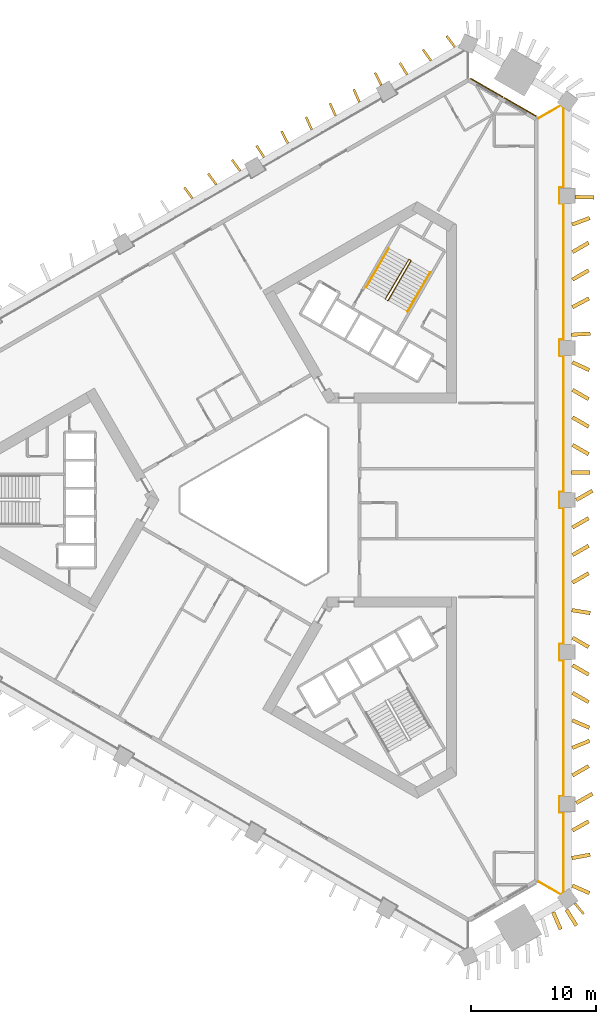
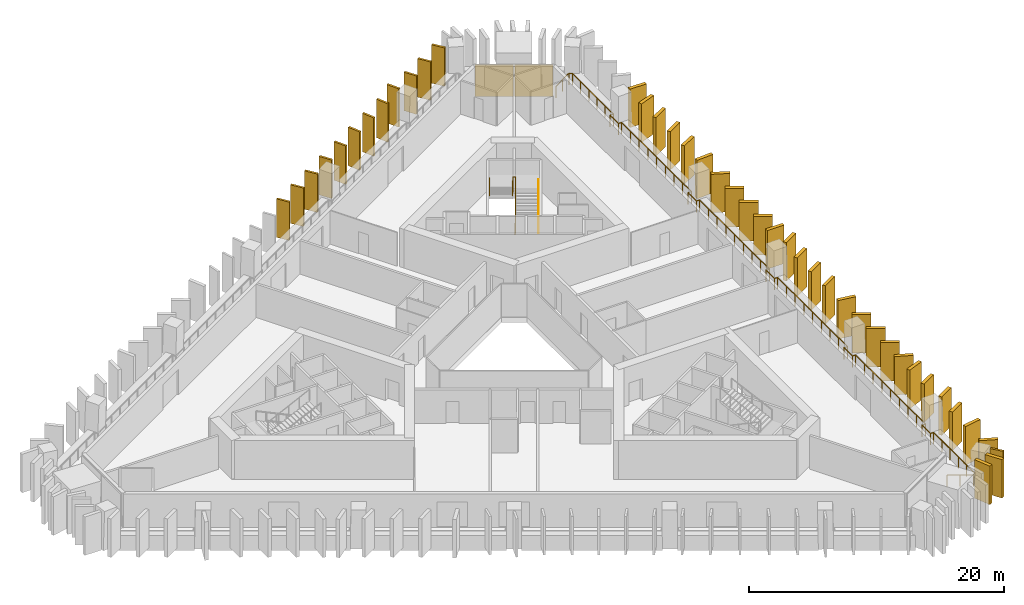
# One storey, part 9 of 10: 41 shading devices, 4 railings, 2 coverings.
"""IFC4 building model written with IfcOpenShell, lengths in metres."""

from ifc_helpers import new_model, si_unit, direction, frame, frame_2d, origin, origin_2d, place, context, subcontext, project, spatial, rectangle, circle, extrude, material, layer, layer_set, type_object, element, save


model = new_model("IFC4")

# Units and contexts
model_context = context("Model", 3, precision=1e-05, world=origin(), true_north=direction((0.0, 1.0)))
body_context = subcontext(model_context, "Body", "Model", "MODEL_VIEW")
ifc_project = project(units=[si_unit("LENGTHUNIT", "METRE"), si_unit("AREAUNIT", "SQUARE_METRE"), si_unit("VOLUMEUNIT", "CUBIC_METRE"), si_unit("PLANEANGLEUNIT", "RADIAN"), si_unit("MASSUNIT", "GRAM", prefix="KILO")], contexts=[model_context])

# Site, building, storey
site_placement = place(None, origin())
site = spatial("IfcSite", under=ifc_project, at=site_placement, CompositionType="ELEMENT")
building_placement = place(site_placement, origin())
building = spatial("IfcBuilding", under=site, at=building_placement, Name="Jabali Bay Hotel Tower and Convention Centre", CompositionType="ELEMENT")
storey_placement = place(building_placement, frame((0.0, 0.0, 41.10009765625)))
storey = spatial("IfcBuildingStorey", under=building, at=storey_placement, Name="L08", CompositionType="ELEMENT", Elevation=41.10009765625)

# Railing
ifc_material_1 = material(Name="Glass", Category="glass")
railing_type_1 = type_object("IfcRailingType", Name="Loggia glass guard 1100", PredefinedType="BALUSTRADE", material=ifc_material_1)
railing_1_placement = place(storey_placement, frame((96.475830078125, 110.64794921875, 0.0)))
element("IfcRailing", 1, at=railing_1_placement, inside=storey, type_object=railing_type_1, Name="Loggia glass guard L08", PredefinedType="BALUSTRADE", context=body_context, shape_type="SweptSolid", body=[
    extrude(circle(Radius=0.02490234375, at=origin_2d()), frame((0.0, 0.0, 1.0751953125), z_axis=(0.866057052383, 0.499945179012, 0.0), x_axis=(-0.4956680787, 0.858647814242, 0.13052619222)), (0.0, 0.0, 1.0), 2.055908203125),
    extrude(circle(Radius=0.02490234375, at=origin_2d()), frame((1.780517578125, 1.02783203125, 1.0751953125), z_axis=(0.802670572918, -0.596422628152, 0.0), x_axis=(0.591320149889, 0.795803614895, 0.13052619222)), (0.0, 0.0, 1.0), 0.2734375),
    extrude(circle(Radius=0.02490234375, at=origin_2d()), frame((2.0, 0.86474609375, 1.0751953125), z_axis=(0.0, -1.0, 0.0), x_axis=(0.991444861374, 0.0, 0.13052619222)), (0.0, 0.0, 1.0), 6.41943359375),
    extrude(circle(Radius=0.02490234375, at=origin_2d()), frame((2.0, -5.5546875, 1.0751953125), z_axis=(-1.0, 0.0, 0.0), x_axis=(0.0, -0.991444861374, 0.13052619222)), (0.0, 0.0, 1.0), 0.300048828125),
    extrude(circle(Radius=0.02490234375, at=origin_2d()), frame((1.699951171875, -5.5546875, 1.0751953125), z_axis=(0.0, -1.0, 0.0), x_axis=(0.991444861374, 0.0, 0.13052619222)), (0.0, 0.0, 1.0), 1.2998046875),
    extrude(circle(Radius=0.02490234375, at=origin_2d()), frame((1.699951171875, -6.8544921875, 1.0751953125), z_axis=(1.0, 0.0, 0.0), x_axis=(0.0, 0.991444861374, 0.13052619222)), (0.0, 0.0, 1.0), 0.300048828125),
    extrude(circle(Radius=0.02490234375, at=origin_2d()), frame((2.0, -6.8544921875, 1.0751953125), z_axis=(0.0, -1.0, 0.0), x_axis=(0.991444861374, 0.0, 0.13052619222)), (0.0, 0.0, 1.0), 10.921875),
    extrude(circle(Radius=0.02490234375, at=origin_2d()), frame((2.0, -17.7763671875, 1.0751953125), z_axis=(-1.0, 0.0, 0.0), x_axis=(0.0, -0.991444861374, 0.13052619222)), (0.0, 0.0, 1.0), 0.300048828125),
    extrude(circle(Radius=0.02490234375, at=origin_2d()), frame((1.699951171875, -17.7763671875, 1.0751953125), z_axis=(0.0, -1.0, 0.0), x_axis=(0.991444861374, 0.0, 0.13052619222)), (0.0, 0.0, 1.0), 1.2998046875),
    extrude(circle(Radius=0.02490234375, at=origin_2d()), frame((1.699951171875, -19.076171875, 1.0751953125), z_axis=(1.0, 0.0, 0.0), x_axis=(0.0, 0.991444861374, 0.13052619222)), (0.0, 0.0, 1.0), 0.300048828125),
    extrude(circle(Radius=0.02490234375, at=origin_2d()), frame((2.0, -19.076171875, 1.0751953125), z_axis=(0.0, -1.0, 0.0), x_axis=(0.991444861374, 0.0, 0.13052619222)), (0.0, 0.0, 1.0), 10.921875),
    extrude(circle(Radius=0.02490234375, at=origin_2d()), frame((2.0, -29.998046875, 1.0751953125), z_axis=(-1.0, 0.0, 0.0), x_axis=(0.0, -0.991444861374, 0.13052619222)), (0.0, 0.0, 1.0), 0.300048828125),
    extrude(circle(Radius=0.02490234375, at=origin_2d()), frame((1.699951171875, -29.998046875, 1.0751953125), z_axis=(0.0, -1.0, 0.0), x_axis=(0.991444861374, 0.0, 0.13052619222)), (0.0, 0.0, 1.0), 1.2998046875),
    extrude(circle(Radius=0.02490234375, at=origin_2d()), frame((1.699951171875, -31.2978515625, 1.0751953125), z_axis=(1.0, 0.0, 0.0), x_axis=(0.0, 0.991444861374, 0.13052619222)), (0.0, 0.0, 1.0), 0.300048828125),
    extrude(circle(Radius=0.02490234375, at=origin_2d()), frame((2.0, -31.2978515625, 1.0751953125), z_axis=(0.0, -1.0, 0.0), x_axis=(0.991444861374, 0.0, 0.13052619222)), (0.0, 0.0, 1.0), 10.921875),
    extrude(circle(Radius=0.02490234375, at=origin_2d()), frame((2.0, -42.2197265625, 1.0751953125), z_axis=(-1.0, 0.0, 0.0), x_axis=(0.0, -0.991444861374, 0.13052619222)), (0.0, 0.0, 1.0), 0.300048828125),
    extrude(circle(Radius=0.02490234375, at=origin_2d()), frame((1.699951171875, -42.2197265625, 1.0751953125), z_axis=(0.0, -1.0, 0.0), x_axis=(0.991444861374, 0.0, 0.13052619222)), (0.0, 0.0, 1.0), 1.2998046875),
    extrude(circle(Radius=0.02490234375, at=origin_2d()), frame((1.699951171875, -43.51953125, 1.0751953125), z_axis=(1.0, 0.0, 0.0), x_axis=(0.0, 0.991444861374, 0.13052619222)), (0.0, 0.0, 1.0), 0.300048828125),
    extrude(circle(Radius=0.02490234375, at=origin_2d()), frame((2.0, -43.51953125, 1.0751953125), z_axis=(0.0, -1.0, 0.0), x_axis=(0.991444861374, 0.0, 0.13052619222)), (0.0, 0.0, 1.0), 10.921875),
    extrude(circle(Radius=0.02490234375, at=origin_2d()), frame((2.0, -54.44140625, 1.0751953125), z_axis=(-1.0, 0.0, 0.0), x_axis=(0.0, -0.991444861374, 0.13052619222)), (0.0, 0.0, 1.0), 0.300048828125),
    extrude(circle(Radius=0.02490234375, at=origin_2d()), frame((1.699951171875, -54.44140625, 1.0751953125), z_axis=(0.0, -1.0, 0.0), x_axis=(0.991444861374, 0.0, 0.13052619222)), (0.0, 0.0, 1.0), 1.2998046875),
    extrude(circle(Radius=0.02490234375, at=origin_2d()), frame((1.699951171875, -55.7412109375, 1.0751953125), z_axis=(1.0, 0.0, 0.0), x_axis=(0.0, 0.991444861374, 0.13052619222)), (0.0, 0.0, 1.0), 0.300048828125),
    extrude(circle(Radius=0.02490234375, at=origin_2d()), frame((2.0, -55.7412109375, 1.0751953125), z_axis=(0.0, -1.0, 0.0), x_axis=(0.991444861374, 0.0, 0.13052619222)), (0.0, 0.0, 1.0), 6.41943359375),
    extrude(circle(Radius=0.02490234375, at=origin_2d()), frame((2.0, -62.16064453125, 1.0751953125), z_axis=(-0.802670572918, -0.596422628152, 0.0), x_axis=(0.591320149889, -0.795803614895, 0.13052619222)), (0.0, 0.0, 1.0), 0.2734375),
    extrude(circle(Radius=0.02490234375, at=origin_2d()), frame((1.780517578125, -62.32373046875, 1.0751953125), z_axis=(-0.866057052383, 0.499945179012, 0.0), x_axis=(-0.4956680787, -0.858647814242, 0.13052619222)), (0.0, 0.0, 1.0), 2.055908203125),
    extrude(circle(Radius=0.02001953125, at=origin_2d()), origin(), (0.0, 0.0, 1.0), 1.050048828125),
    extrude(circle(Radius=0.02001953125, at=origin_2d()), frame((0.89013671875, 0.513916015625, 0.0)), (0.0, 0.0, 1.0), 1.050048828125),
    extrude(circle(Radius=0.02001953125, at=origin_2d()), frame((1.780517578125, 1.02783203125, 0.0)), (0.0, 0.0, 1.0), 1.050048828125),
    extrude(circle(Radius=0.02001953125, at=origin_2d()), frame((2.0, 0.86474609375, 0.0)), (0.0, 0.0, 1.0), 1.050048828125),
    extrude(circle(Radius=0.02001953125, at=origin_2d()), frame((2.0, -0.419189453125, 0.0)), (0.0, 0.0, 1.0), 1.050048828125),
    extrude(circle(Radius=0.02001953125, at=origin_2d()), frame((2.0, -1.703125, 0.0)), (0.0, 0.0, 1.0), 1.050048828125),
    extrude(circle(Radius=0.02001953125, at=origin_2d()), frame((2.0, -2.98681640625, 0.0)), (0.0, 0.0, 1.0), 1.050048828125),
    extrude(circle(Radius=0.02001953125, at=origin_2d()), frame((2.0, -4.270751953125, 0.0)), (0.0, 0.0, 1.0), 1.050048828125),
    extrude(circle(Radius=0.02001953125, at=origin_2d()), frame((2.0, -5.5546875, 0.0)), (0.0, 0.0, 1.0), 1.050048828125),
    extrude(circle(Radius=0.02001953125, at=origin_2d()), frame((1.699951171875, -5.5546875, 0.0)), (0.0, 0.0, 1.0), 1.050048828125),
    extrude(circle(Radius=0.02001953125, at=origin_2d()), frame((1.699951171875, -6.8544921875, 0.0)), (0.0, 0.0, 1.0), 1.050048828125),
    extrude(circle(Radius=0.02001953125, at=origin_2d()), frame((2.0, -6.8544921875, 0.0)), (0.0, 0.0, 1.0), 1.050048828125),
    extrude(circle(Radius=0.02001953125, at=origin_2d()), frame((2.0, -8.2197265625, 0.0)), (0.0, 0.0, 1.0), 1.050048828125),
    extrude(circle(Radius=0.02001953125, at=origin_2d()), frame((2.0, -9.5849609375, 0.0)), (0.0, 0.0, 1.0), 1.050048828125),
    extrude(circle(Radius=0.02001953125, at=origin_2d()), frame((2.0, -10.9501953125, 0.0)), (0.0, 0.0, 1.0), 1.050048828125),
    extrude(circle(Radius=0.02001953125, at=origin_2d()), frame((2.0, -12.3154296875, 0.0)), (0.0, 0.0, 1.0), 1.050048828125),
    extrude(circle(Radius=0.02001953125, at=origin_2d()), frame((2.0, -13.6806640625, 0.0)), (0.0, 0.0, 1.0), 1.050048828125),
    extrude(circle(Radius=0.02001953125, at=origin_2d()), frame((2.0, -15.0458984375, 0.0)), (0.0, 0.0, 1.0), 1.050048828125),
    extrude(circle(Radius=0.02001953125, at=origin_2d()), frame((2.0, -16.4111328125, 0.0)), (0.0, 0.0, 1.0), 1.050048828125),
    extrude(circle(Radius=0.02001953125, at=origin_2d()), frame((2.0, -17.7763671875, 0.0)), (0.0, 0.0, 1.0), 1.050048828125),
    extrude(circle(Radius=0.02001953125, at=origin_2d()), frame((1.699951171875, -17.7763671875, 0.0)), (0.0, 0.0, 1.0), 1.050048828125),
    extrude(circle(Radius=0.02001953125, at=origin_2d()), frame((1.699951171875, -19.076171875, 0.0)), (0.0, 0.0, 1.0), 1.050048828125),
    extrude(circle(Radius=0.02001953125, at=origin_2d()), frame((2.0, -19.076171875, 0.0)), (0.0, 0.0, 1.0), 1.050048828125),
    extrude(circle(Radius=0.02001953125, at=origin_2d()), frame((2.0, -20.44140625, 0.0)), (0.0, 0.0, 1.0), 1.050048828125),
    extrude(circle(Radius=0.02001953125, at=origin_2d()), frame((2.0, -21.806640625, 0.0)), (0.0, 0.0, 1.0), 1.050048828125),
    extrude(circle(Radius=0.02001953125, at=origin_2d()), frame((2.0, -23.171875, 0.0)), (0.0, 0.0, 1.0), 1.050048828125),
    extrude(circle(Radius=0.02001953125, at=origin_2d()), frame((2.0, -24.537109375, 0.0)), (0.0, 0.0, 1.0), 1.050048828125),
    extrude(circle(Radius=0.02001953125, at=origin_2d()), frame((2.0, -25.90234375, 0.0)), (0.0, 0.0, 1.0), 1.050048828125),
    extrude(circle(Radius=0.02001953125, at=origin_2d()), frame((2.0, -27.267578125, 0.0)), (0.0, 0.0, 1.0), 1.050048828125),
    extrude(circle(Radius=0.02001953125, at=origin_2d()), frame((2.0, -28.6328125, 0.0)), (0.0, 0.0, 1.0), 1.050048828125),
    extrude(circle(Radius=0.02001953125, at=origin_2d()), frame((2.0, -29.998046875, 0.0)), (0.0, 0.0, 1.0), 1.050048828125),
    extrude(circle(Radius=0.02001953125, at=origin_2d()), frame((1.699951171875, -29.998046875, 0.0)), (0.0, 0.0, 1.0), 1.050048828125),
    extrude(circle(Radius=0.02001953125, at=origin_2d()), frame((1.699951171875, -31.2978515625, 0.0)), (0.0, 0.0, 1.0), 1.050048828125),
    extrude(circle(Radius=0.02001953125, at=origin_2d()), frame((2.0, -31.2978515625, 0.0)), (0.0, 0.0, 1.0), 1.050048828125),
    extrude(circle(Radius=0.02001953125, at=origin_2d()), frame((2.0, -32.6630859375, 0.0)), (0.0, 0.0, 1.0), 1.050048828125),
    extrude(circle(Radius=0.02001953125, at=origin_2d()), frame((2.0, -34.0283203125, 0.0)), (0.0, 0.0, 1.0), 1.050048828125),
    extrude(circle(Radius=0.02001953125, at=origin_2d()), frame((2.0, -35.3935546875, 0.0)), (0.0, 0.0, 1.0), 1.050048828125),
    extrude(circle(Radius=0.02001953125, at=origin_2d()), frame((2.0, -36.7587890625, 0.0)), (0.0, 0.0, 1.0), 1.050048828125),
    extrude(circle(Radius=0.02001953125, at=origin_2d()), frame((2.0, -38.1240234375, 0.0)), (0.0, 0.0, 1.0), 1.050048828125),
    extrude(circle(Radius=0.02001953125, at=origin_2d()), frame((2.0, -39.4892578125, 0.0)), (0.0, 0.0, 1.0), 1.050048828125),
    extrude(circle(Radius=0.02001953125, at=origin_2d()), frame((2.0, -40.8544921875, 0.0)), (0.0, 0.0, 1.0), 1.050048828125),
    extrude(circle(Radius=0.02001953125, at=origin_2d()), frame((2.0, -42.2197265625, 0.0)), (0.0, 0.0, 1.0), 1.050048828125),
    extrude(circle(Radius=0.02001953125, at=origin_2d()), frame((1.699951171875, -42.2197265625, 0.0)), (0.0, 0.0, 1.0), 1.050048828125),
    extrude(circle(Radius=0.02001953125, at=origin_2d()), frame((1.699951171875, -43.51953125, 0.0)), (0.0, 0.0, 1.0), 1.050048828125),
    extrude(circle(Radius=0.02001953125, at=origin_2d()), frame((2.0, -43.51953125, 0.0)), (0.0, 0.0, 1.0), 1.050048828125),
    extrude(circle(Radius=0.02001953125, at=origin_2d()), frame((2.0, -44.884765625, 0.0)), (0.0, 0.0, 1.0), 1.050048828125),
    extrude(circle(Radius=0.02001953125, at=origin_2d()), frame((2.0, -46.25, 0.0)), (0.0, 0.0, 1.0), 1.050048828125),
    extrude(circle(Radius=0.02001953125, at=origin_2d()), frame((2.0, -47.615234375, 0.0)), (0.0, 0.0, 1.0), 1.050048828125),
    extrude(circle(Radius=0.02001953125, at=origin_2d()), frame((2.0, -48.98046875, 0.0)), (0.0, 0.0, 1.0), 1.050048828125),
    extrude(circle(Radius=0.02001953125, at=origin_2d()), frame((2.0, -50.345703125, 0.0)), (0.0, 0.0, 1.0), 1.050048828125),
    extrude(circle(Radius=0.02001953125, at=origin_2d()), frame((2.0, -51.7109375, 0.0)), (0.0, 0.0, 1.0), 1.050048828125),
    extrude(circle(Radius=0.02001953125, at=origin_2d()), frame((2.0, -53.076171875, 0.0)), (0.0, 0.0, 1.0), 1.050048828125),
    extrude(circle(Radius=0.02001953125, at=origin_2d()), frame((2.0, -54.44140625, 0.0)), (0.0, 0.0, 1.0), 1.050048828125),
    extrude(circle(Radius=0.02001953125, at=origin_2d()), frame((1.699951171875, -54.44140625, 0.0)), (0.0, 0.0, 1.0), 1.050048828125),
    extrude(circle(Radius=0.02001953125, at=origin_2d()), frame((1.699951171875, -55.7412109375, 0.0)), (0.0, 0.0, 1.0), 1.050048828125),
    extrude(circle(Radius=0.02001953125, at=origin_2d()), frame((2.0, -55.7412109375, 0.0)), (0.0, 0.0, 1.0), 1.050048828125),
    extrude(circle(Radius=0.02001953125, at=origin_2d()), frame((2.0, -57.025146484375, 0.0)), (0.0, 0.0, 1.0), 1.050048828125),
    extrude(circle(Radius=0.02001953125, at=origin_2d()), frame((2.0, -58.30908203125, 0.0)), (0.0, 0.0, 1.0), 1.050048828125),
    extrude(circle(Radius=0.02001953125, at=origin_2d()), frame((2.0, -59.5927734375, 0.0)), (0.0, 0.0, 1.0), 1.050048828125),
    extrude(circle(Radius=0.02001953125, at=origin_2d()), frame((2.0, -60.876708984375, 0.0)), (0.0, 0.0, 1.0), 1.050048828125),
    extrude(circle(Radius=0.02001953125, at=origin_2d()), frame((2.0, -62.16064453125, 0.0)), (0.0, 0.0, 1.0), 1.050048828125),
    extrude(circle(Radius=0.02001953125, at=origin_2d()), frame((1.780517578125, -62.32373046875, 0.0)), (0.0, 0.0, 1.0), 1.050048828125),
    extrude(circle(Radius=0.02001953125, at=origin_2d()), frame((0.89013671875, -61.809814453125, 0.0)), (0.0, 0.0, 1.0), 1.050048828125),
    extrude(circle(Radius=0.02001953125, at=origin_2d()), frame((0.0, -61.2958984375, 0.0)), (0.0, 0.0, 1.0), 1.050048828125),
])

# Shading devices
ifc_material_2 = material(Name="Precast concrete C60", Category="concrete")
ifc_layer_1 = layer(ifc_material_2, 0.179931640625)
ifc_layer_set_1 = layer_set([ifc_layer_1], Name="Precast concrete C60")
shading_device_type_1 = type_object("IfcShadingDeviceType", Name="Precast fin 3680 x 1100", PredefinedType="USERDEFINED", material=ifc_layer_set_1)
shading_device_1_placement = place(storey_placement, frame((89.7451171875, 116.37451171875, 0.010009765625), z_axis=(0.0, 0.0, 1.0), x_axis=(-0.596442512985, 0.802655797154, 0.0)))
element("IfcShadingDevice", 2, at=shading_device_1_placement, inside=storey, type_object=shading_device_type_1, Name="Fin L08 038", ObjectType="FIN", PredefinedType="USERDEFINED", context=body_context, shape_type="SweptSolid", body=[
    extrude(rectangle(XDim=1.099853515625, YDim=0.179931640625, at=frame_2d((0.5498046875, 0.0))), origin(), (0.0, 0.0, 1.0), 3.679931640625),
])
for number, where, z_axis, x_axis, name in (
    (3, (87.8310546875, 115.267333984375, 0.010009765625), (0.0, 0.0, 1.0), (-0.580398075065, 0.814332901497, 0.0), "Fin L08 039"),
    (4, (85.9189453125, 114.15673828125, 0.010009765625), (0.0, 0.0, 1.0), (-0.528202332955, 0.849118540288, 0.0), "Fin L08 040"),
):
    element("IfcShadingDevice", number, at=place(storey_placement, frame(where, z_axis=z_axis, x_axis=x_axis)), inside=storey, type_object=shading_device_type_1, Name=name, ObjectType="FIN", PredefinedType="USERDEFINED", context=body_context, shape_type="SweptSolid", body=[
        extrude(rectangle(XDim=1.10009765625, YDim=0.179931640625, at=frame_2d((0.550048828125, 0.0))), origin(), (0.0, 0.0, 1.0), 3.679931640625),
    ])
for number, where, z_axis, x_axis, name in (
    (5, (83.849609375, 113.318359375, 0.010009765625), (0.0, 0.0, 1.0), (-0.461010258184, 0.887394806075, 0.0), "Fin L08 041"),
    (6, (82.085693359375, 111.951416015625, 0.010009765625), (0.0, 0.0, 1.0), (-0.405994290953, 0.913875612823, 0.0), "Fin L08 042"),
    (7, (80.170654296875, 110.845703125, 0.010009765625), (0.0, 0.0, 1.0), (-0.405994290953, 0.913875612823, 0.0), "Fin L08 043"),
):
    element("IfcShadingDevice", number, at=place(storey_placement, frame(where, z_axis=z_axis, x_axis=x_axis)), inside=storey, type_object=shading_device_type_1, Name=name, ObjectType="FIN", PredefinedType="USERDEFINED", context=body_context, shape_type="SweptSolid", body=[
        extrude(rectangle(XDim=1.099853515625, YDim=0.179931640625, at=frame_2d((0.5498046875, 0.0))), origin(), (0.0, 0.0, 1.0), 3.679931640625),
    ])
shading_device_2_placement = place(storey_placement, frame((78.255859375, 109.739990234375, 0.010009765625), z_axis=(0.0, 0.0, 1.0), x_axis=(-0.406097286264, 0.913829849638, 0.0)))
element("IfcShadingDevice", 8, at=shading_device_2_placement, inside=storey, type_object=shading_device_type_1, Name="Fin L08 044", ObjectType="FIN", PredefinedType="USERDEFINED", context=body_context, shape_type="SweptSolid", body=[
    extrude(rectangle(XDim=1.10009765625, YDim=0.179931640625, at=frame_2d((0.550048828125, 0.0))), origin(), (0.0, 0.0, 1.0), 3.679931640625),
])
for number, where, z_axis, x_axis, name in (
    (9, (76.34326171875, 108.630126953125, 0.010009765625), (0.0, 0.0, 1.0), (-0.457483425745, 0.889218148245, 0.0), "Fin L08 045"),
    (10, (74.42822265625, 107.524658203125, 0.010009765625), (0.0, 0.0, 1.0), (-0.543122429935, 0.839653515506, 0.0), "Fin L08 046"),
):
    element("IfcShadingDevice", number, at=place(storey_placement, frame(where, z_axis=z_axis, x_axis=x_axis)), inside=storey, type_object=shading_device_type_1, Name=name, ObjectType="FIN", PredefinedType="USERDEFINED", context=body_context, shape_type="SweptSolid", body=[
        extrude(rectangle(XDim=1.099853515625, YDim=0.179931640625, at=frame_2d((0.5498046875, 0.0))), origin(), (0.0, 0.0, 1.0), 3.679931640625),
    ])
shading_device_3_placement = place(storey_placement, frame((72.510986328125, 106.42333984375, 0.010009765625), z_axis=(0.0, 0.0, 1.0), x_axis=(-0.588791741155, 0.80828477998, 0.0)))
element("IfcShadingDevice", 11, at=shading_device_3_placement, inside=storey, type_object=shading_device_type_1, Name="Fin L08 047", ObjectType="FIN", PredefinedType="USERDEFINED", context=body_context, shape_type="SweptSolid", body=[
    extrude(rectangle(XDim=1.10009765625, YDim=0.179931640625, at=frame_2d((0.550048828125, 0.0))), origin(), (0.0, 0.0, 1.0), 3.679931640625),
])
for number, where, z_axis, x_axis, name in (
    (12, (70.595947265625, 105.31787109375, 0.010009765625), (0.0, 0.0, 1.0), (-0.589543444377, 0.807736669461, 0.0), "Fin L08 048"),
    (13, (68.680908203125, 104.21240234375, 0.010009765625), (0.0, 0.0, 1.0), (-0.591084572058, 0.806609588757, 0.0), "Fin L08 049"),
):
    element("IfcShadingDevice", number, at=place(storey_placement, frame(where, z_axis=z_axis, x_axis=x_axis)), inside=storey, type_object=shading_device_type_1, Name=name, ObjectType="FIN", PredefinedType="USERDEFINED", context=body_context, shape_type="SweptSolid", body=[
        extrude(rectangle(XDim=1.099853515625, YDim=0.179931640625, at=frame_2d((0.5498046875, 0.0))), origin(), (0.0, 0.0, 1.0), 3.679931640625),
    ])
shading_device_4_placement = place(storey_placement, frame((99.39599609375, 47.6083984375, 0.010009765625), z_axis=(0.0, 0.0, 1.0), x_axis=(0.637145225569, -0.770743771648, 0.0)))
element("IfcShadingDevice", 14, at=shading_device_4_placement, inside=storey, type_object=shading_device_type_1, Name="Fin L08 114", ObjectType="FIN", PredefinedType="USERDEFINED", context=body_context, shape_type="SweptSolid", body=[
    extrude(rectangle(XDim=1.10009765625, YDim=0.179931640625, at=frame_2d((0.550048828125, 0.0))), origin(), (0.0, 0.0, 1.0), 3.679931640625),
])
ifc_layer_2 = layer(ifc_material_2, 0.300048828125)
ifc_layer_set_2 = layer_set([ifc_layer_2], Name="Precast concrete C60")
shading_device_type_2 = type_object("IfcShadingDeviceType", Name="Precast fin 3680 x 1500", PredefinedType="USERDEFINED", material=ifc_layer_set_2)
for number, where, z_axis, x_axis, name in (
    (15, (99.178466796875, 49.043212890625, 0.010009765625), (0.0, 0.0, 1.0), (0.916198421321, -0.400724909094, 0.0), "Fin L08 000"),
    (16, (99.14501953125, 51.25439453125, 0.010009765625), (0.0, 0.0, 1.0), (0.984106039455, 0.177581820881, 0.0), "Fin L08 001"),
    (17, (99.191650390625, 53.465576171875, 0.010009765625), (0.0, 0.0, 1.0), (0.872053252193, 0.489410998385, 0.0), "Fin L08 002"),
    (18, (99.500244140625, 55.6767578125, 0.010009765625), (0.0, 0.0, 1.0), (0.867812139006, 0.496892434431, 0.0), "Fin L08 003"),
    (19, (99.193115234375, 57.887939453125, 0.010009765625), (0.0, 0.0, 1.0), (0.86650513742, 0.499168154859, 0.0), "Fin L08 004"),
    (20, (99.175048828125, 60.09912109375, 0.010009765625), (0.0, 0.0, 1.0), (0.925712784277, 0.378227234645, 0.0), "Fin L08 005"),
    (21, (99.177978515625, 62.310302734375, 0.010009765625), (0.0, 0.0, 1.0), (0.917189049688, -0.398452314754, 0.0), "Fin L08 006"),
    (22, (99.193359375, 64.521484375, 0.010009765625), (0.0, 0.0, 1.0), (0.866101569082, -0.499868054624, 0.0), "Fin L08 007"),
    (23, (99.193359375, 66.73291015625, 0.010009765625), (0.0, 0.0, 1.0), (0.866031096941, -0.499990139034, 0.0), "Fin L08 008"),
    (24, (99.193359375, 68.944091796875, 0.010009765625), (0.0, 0.0, 1.0), (0.866031096941, -0.499990139034, 0.0), "Fin L08 009"),
    (25, (99.1416015625, 71.1552734375, 0.010009765625), (0.0, 0.0, 1.0), (0.987819647676, -0.155603160847, 0.0), "Fin L08 010"),
    (26, (99.193359375, 73.366455078125, 0.010009765625), (0.0, 0.0, 1.0), (0.866031096941, 0.499990139034, 0.0), "Fin L08 011"),
    (27, (99.193359375, 75.57763671875, 0.010009765625), (0.0, 0.0, 1.0), (0.866031096941, 0.499990139034, 0.0), "Fin L08 012"),
    (28, (99.193359375, 77.788818359375, 0.010009765625), (0.0, 0.0, 1.0), (0.866031096941, 0.499990139034, 0.0), "Fin L08 013"),
    (29, (99.500732421875, 80.0, 0.010009765625), (0.0, 0.0, 1.0), (0.866031096941, 0.499990139034, 0.0), "Fin L08 014"),
    (30, (99.11865234375, 82.211181640625, 0.010009765625), (0.0, 0.0, 1.0), (0.999997403897, -0.002278639918, 0.0), "Fin L08 015"),
    (31, (99.193359375, 84.42236328125, 0.010009765625), (0.0, 0.0, 1.0), (0.866031096941, -0.499990139034, 0.0), "Fin L08 016"),
    (32, (99.193359375, 86.633544921875, 0.010009765625), (0.0, 0.0, 1.0), (0.866031096941, -0.499990139034, 0.0), "Fin L08 017"),
    (33, (99.193359375, 88.8447265625, 0.010009765625), (0.0, 0.0, 1.0), (0.866031096941, -0.499990139034, 0.0), "Fin L08 018"),
):
    element("IfcShadingDevice", number, at=place(storey_placement, frame(where, z_axis=z_axis, x_axis=x_axis)), inside=storey, type_object=shading_device_type_2, Name=name, ObjectType="FIN", PredefinedType="USERDEFINED", context=body_context, shape_type="SweptSolid", body=[
        extrude(rectangle(XDim=1.5, YDim=0.300048828125, at=frame_2d((0.75, 0.0))), origin(), (0.0, 0.0, 1.0), 3.679931640625),
    ])
shading_device_5_placement = place(storey_placement, frame((99.18115234375, 91.055908203125, 0.010009765625), z_axis=(0.0, 0.0, 1.0), x_axis=(0.907802130949, -0.419398725611, 0.0)))
element("IfcShadingDevice", 34, at=shading_device_5_placement, inside=storey, type_object=shading_device_type_2, Name="Fin L08 019", ObjectType="FIN", PredefinedType="USERDEFINED", context=body_context, shape_type="SweptSolid", body=[
    extrude(rectangle(XDim=1.500244140625, YDim=0.300048828125, at=frame_2d((0.75, 0.0))), origin(), (0.0, 0.0, 1.0), 3.679931640625),
])
shading_device_6_placement = place(storey_placement, frame((99.12744140625, 93.26708984375, 0.010009765625), z_axis=(0.0, 0.0, 1.0), x_axis=(0.998165517321, 0.060544198996, 0.0)))
element("IfcShadingDevice", 35, at=shading_device_6_placement, inside=storey, type_object=shading_device_type_2, Name="Fin L08 020", ObjectType="FIN", PredefinedType="USERDEFINED", context=body_context, shape_type="SweptSolid", body=[
    extrude(rectangle(XDim=1.5, YDim=0.300048828125, at=frame_2d((0.75, 0.0))), origin(), (0.0, 0.0, 1.0), 3.679931640625),
])
shading_device_7_placement = place(storey_placement, frame((99.188720703125, 95.478515625, 0.010009765625), z_axis=(0.0, 0.0, 1.0), x_axis=(0.883391655451, 0.468635447954, 0.0)))
element("IfcShadingDevice", 36, at=shading_device_7_placement, inside=storey, type_object=shading_device_type_2, Name="Fin L08 021", ObjectType="FIN", PredefinedType="USERDEFINED", context=body_context, shape_type="SweptSolid", body=[
    extrude(rectangle(XDim=1.499755859375, YDim=0.300048828125, at=frame_2d((0.75, 0.0))), origin(), (0.0, 0.0, 1.0), 3.679931640625),
])
for number, where, z_axis, x_axis, name in (
    (37, (99.193359375, 97.689697265625, 0.010009765625), (0.0, 0.0, 1.0), (0.866101569082, 0.499868054624, 0.0), "Fin L08 022"),
    (38, (99.193359375, 99.90087890625, 0.010009765625), (0.0, 0.0, 1.0), (0.866101569082, 0.499868054624, 0.0), "Fin L08 023"),
    (39, (99.1708984375, 102.112060546875, 0.010009765625), (0.0, 0.0, 1.0), (0.936529689531, 0.350588277937, 0.0), "Fin L08 024"),
):
    element("IfcShadingDevice", number, at=place(storey_placement, frame(where, z_axis=z_axis, x_axis=x_axis)), inside=storey, type_object=shading_device_type_2, Name=name, ObjectType="FIN", PredefinedType="USERDEFINED", context=body_context, shape_type="SweptSolid", body=[
        extrude(rectangle(XDim=1.5, YDim=0.300048828125, at=frame_2d((0.75, 0.0))), origin(), (0.0, 0.0, 1.0), 3.679931640625),
    ])
for number, where, z_axis, x_axis, name in (
    (40, (99.428955078125, 104.3232421875, 0.010009765625), (0.0, 0.0, 1.0), (0.999792968933, -0.020347463549, 0.0), "Fin L08 025"),
    (41, (97.6494140625, 46.906982421875, 0.010009765625), (0.0, 0.0, 1.0), (0.396373652315, -0.918089280926, 0.0), "Fin L08 112"),
):
    element("IfcShadingDevice", number, at=place(storey_placement, frame(where, z_axis=z_axis, x_axis=x_axis)), inside=storey, type_object=shading_device_type_2, Name=name, ObjectType="FIN", PredefinedType="USERDEFINED", context=body_context, shape_type="SweptSolid", body=[
        extrude(rectangle(XDim=1.499755859375, YDim=0.300048828125, at=frame_2d((0.75, 0.0))), origin(), (0.0, 0.0, 1.0), 3.679931640625),
    ])
shading_device_8_placement = place(storey_placement, frame((98.715087890625, 47.106689453125, 0.010009765625), z_axis=(0.0, 0.0, 1.0), x_axis=(0.530467051249, -0.847705554742, 0.0)))
element("IfcShadingDevice", 42, at=shading_device_8_placement, inside=storey, type_object=shading_device_type_2, Name="Fin L08 113", ObjectType="FIN", PredefinedType="USERDEFINED", context=body_context, shape_type="SweptSolid", body=[
    extrude(rectangle(XDim=1.5, YDim=0.300048828125, at=frame_2d((0.75, 0.0))), origin(), (0.0, 0.0, 1.0), 3.679931640625),
])

# Coverings
ifc_material_3 = material(Name="Precast concrete C40/50", Category="concrete")
ifc_layer_3 = layer(ifc_material_3, 0.080078125)
ifc_layer_set_3 = layer_set([ifc_layer_3], Name="Precast concrete C40/50")
covering_type = type_object("IfcCoveringType", Name="Relief panel 3000 x 3000", PredefinedType="CLADDING", material=ifc_layer_set_3)
for number, where, z_axis, x_axis, name in (
    (43, (92.3232421875, 113.091552734375, 0.099853515625), (0.0, 0.0, 1.0), (0.866025378006, -0.50000004465, 0.0), "Relief panel L08"),
    (44, (94.99658203125, 111.548095703125, 0.099853515625), (0.0, 0.0, 1.0), (0.866025378006, -0.50000004465, 0.0), "Relief panel L08"),
):
    element("IfcCovering", number, at=place(storey_placement, frame(where, z_axis=z_axis, x_axis=x_axis)), inside=storey, type_object=covering_type, Name=name, PredefinedType="CLADDING", context=body_context, shape_type="SweptSolid", body=[
        extrude(rectangle(XDim=3.0, YDim=0.080078125, at=origin_2d()), origin(), (0.0, 0.0, 1.0), 3.0),
    ])

# Railings
ifc_material_4 = material(Name="Steel Q355B", Category="steel")
railing_type_2 = type_object("IfcRailingType", Name="Stair guard 1100", PredefinedType="GUARDRAIL", material=ifc_material_4)
railing_2_placement = place(storey_placement, frame((84.329833984375, 96.010009765625, 0.0)))
element("IfcRailing", 45, at=railing_2_placement, inside=storey, type_object=railing_type_2, Name="L08 ST2 stair guard 1", PredefinedType="GUARDRAIL", context=body_context, shape_type="SweptSolid", body=[
    extrude(circle(Radius=0.02392578125, at=origin_2d()), frame((0.0, 0.0, 1.076171875), z_axis=(0.456201556387, 0.122196845461, 0.881446578591), x_axis=(-0.258736085224, 0.965948051503, 0.0)), (0.0, 0.0, 1.0), 0.14990234375),
    extrude(circle(Radius=0.02392578125, at=origin_2d()), frame((0.068359375, 0.018310546875, 1.2080078125), z_axis=(0.452190331055, 0.783190014029, 0.426775475427), x_axis=(-0.866018046521, 0.500012742938, 0.0)), (0.0, 0.0, 1.0), 4.02490234375),
    extrude(circle(Radius=0.02392578125, at=origin_2d()), frame((1.888427734375, 3.170654296875, 2.92578125), z_axis=(-0.718850276695, 0.695164929852, 0.0), x_axis=(-0.695164929852, -0.718850276695, 0.0)), (0.0, 0.0, 1.0), 0.2060546875),
    extrude(circle(Radius=0.02392578125, at=origin_2d()), frame((1.740234375, 3.31396484375, 2.92578125), z_axis=(-0.457445338502, -0.768046879266, 0.448160410493), x_axis=(0.859157857954, -0.511710636118, 0.0)), (0.0, 0.0, 1.0), 4.128173828125),
    extrude(circle(Radius=0.02099609375, at=origin_2d()), origin(), (0.0, 0.0, 1.0), 1.052001953125),
    extrude(circle(Radius=0.02099609375, at=origin_2d()), frame((0.068359375, 0.018310546875, 0.132080078125)), (0.0, 0.0, 1.0), 1.052001953125),
    extrude(circle(Radius=0.02099609375, at=origin_2d()), frame((0.5234375, 0.806396484375, 0.5615234375)), (0.0, 0.0, 1.0), 1.052001953125),
    extrude(circle(Radius=0.02099609375, at=origin_2d()), frame((0.978515625, 1.594482421875, 0.990966796875)), (0.0, 0.0, 1.0), 1.052001953125),
    extrude(circle(Radius=0.02099609375, at=origin_2d()), frame((1.433349609375, 2.382568359375, 1.42041015625)), (0.0, 0.0, 1.0), 1.052001953125),
    extrude(circle(Radius=0.02099609375, at=origin_2d()), frame((1.888427734375, 3.170654296875, 1.849853515625)), (0.0, 0.0, 1.0), 1.052001953125),
    extrude(circle(Radius=0.02099609375, at=origin_2d()), frame((1.740234375, 3.31396484375, 1.849853515625)), (0.0, 0.0, 1.0), 1.052001953125),
    extrude(circle(Radius=0.02099609375, at=origin_2d()), frame((1.26806640625, 2.521240234375, 2.3125)), (0.0, 0.0, 1.0), 1.052001953125),
    extrude(circle(Radius=0.02099609375, at=origin_2d()), frame((0.7958984375, 1.728515625, 2.77490234375)), (0.0, 0.0, 1.0), 1.052001953125),
    extrude(circle(Radius=0.02099609375, at=origin_2d()), frame((0.323974609375, 0.93603515625, 3.2373046875)), (0.0, 0.0, 1.0), 1.052001953125),
    extrude(circle(Radius=0.02099609375, at=origin_2d()), frame((-0.148193359375, 0.143310546875, 3.699951171875)), (0.0, 0.0, 1.0), 1.052001953125),
])
railing_type_3 = type_object("IfcRailingType", Name="Stair handrail 900", PredefinedType="HANDRAIL", material=ifc_material_4)
railing_3_placement = place(storey_placement, frame((85.95703125, 95.128173828125, 0.132080078125)))
element("IfcRailing", 46, at=railing_3_placement, inside=storey, type_object=railing_type_3, Name="L08 ST2 stair handrail 1", PredefinedType="HANDRAIL", context=body_context, shape_type="SweptSolid", body=[
    extrude(circle(Radius=0.02392578125, at=origin_2d()), frame((0.0, 0.0, 0.8759765625), z_axis=(0.452190331055, 0.783190014029, 0.426775475427), x_axis=(-0.866018046521, 0.500012742938, 0.0)), (0.0, 0.0, 1.0), 4.02490234375),
    extrude(circle(Radius=0.02099609375, at=origin_2d()), origin(), (0.0, 0.0, 1.0), 0.851806640625),
    extrude(circle(Radius=0.02099609375, at=origin_2d()), frame((0.455078125, 0.7880859375, 0.429443359375)), (0.0, 0.0, 1.0), 0.851806640625),
    extrude(circle(Radius=0.02099609375, at=origin_2d()), frame((0.91015625, 1.576171875, 0.85888671875)), (0.0, 0.0, 1.0), 0.851806640625),
    extrude(circle(Radius=0.02099609375, at=origin_2d()), frame((1.364990234375, 2.3642578125, 1.288330078125)), (0.0, 0.0, 1.0), 0.851806640625),
    extrude(circle(Radius=0.02099609375, at=origin_2d()), frame((1.820068359375, 3.15234375, 1.7177734375)), (0.0, 0.0, 1.0), 0.851806640625),
])
railing_4_placement = place(storey_placement, frame((84.44287109375, 100.20556640625, 1.98193359375)))
element("IfcRailing", 47, at=railing_4_placement, inside=storey, type_object=railing_type_3, Name="L08 ST2 stair handrail 2", PredefinedType="HANDRAIL", context=body_context, shape_type="SweptSolid", body=[
    extrude(circle(Radius=0.02392578125, at=origin_2d()), frame((0.0, 0.0, 0.8759765625), z_axis=(-0.45217862506, -0.783169739339, 0.426825081763), x_axis=(0.866018046521, -0.500012742938, 0.0)), (0.0, 0.0, 1.0), 4.025146484375),
    extrude(circle(Radius=0.02099609375, at=origin_2d()), origin(), (0.0, 0.0, 1.0), 0.851806640625),
    extrude(circle(Radius=0.02099609375, at=origin_2d()), frame((-0.455078125, -0.7880859375, 0.429443359375)), (0.0, 0.0, 1.0), 0.851806640625),
    extrude(circle(Radius=0.02099609375, at=origin_2d()), frame((-0.91015625, -1.576171875, 0.85888671875)), (0.0, 0.0, 1.0), 0.851806640625),
    extrude(circle(Radius=0.02099609375, at=origin_2d()), frame((-1.364990234375, -2.3642578125, 1.28857421875)), (0.0, 0.0, 1.0), 0.851806640625),
    extrude(circle(Radius=0.02099609375, at=origin_2d()), frame((-1.820068359375, -3.15234375, 1.718017578125)), (0.0, 0.0, 1.0), 0.851806640625),
])

save(model, "model.ifc")
